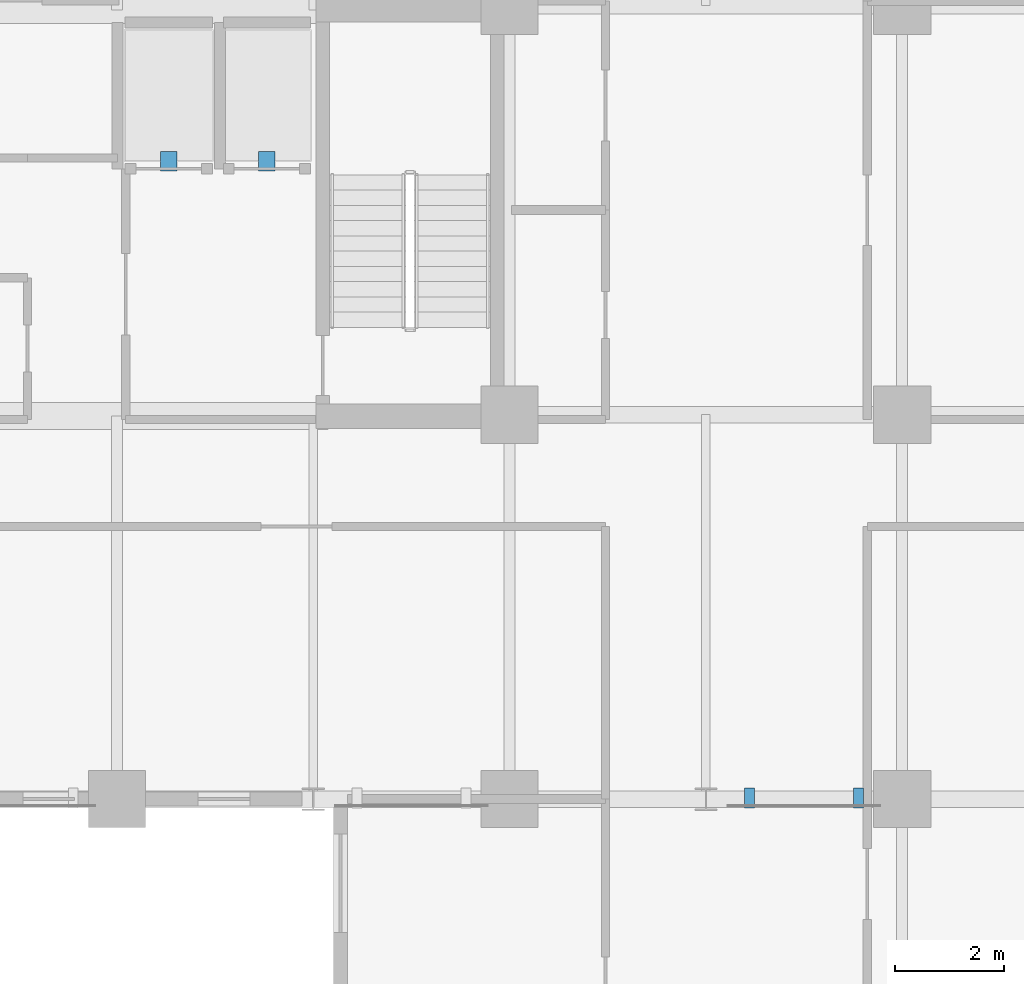
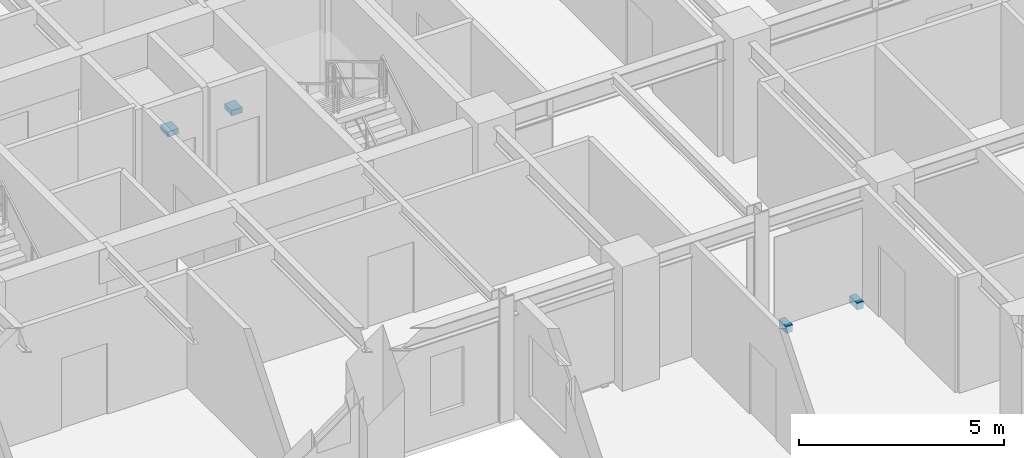
# One storey, part 10 of 14: 4 discrete accessories.
"""IFC4 building model written with IfcOpenShell, lengths in metres."""

from ifc_helpers import new_model, si_unit, direction, frame, origin, origin_2d, place, context, subcontext, project, spatial, rectangle, extrude, source, transform, mapped, material, type_object, element, save


model = new_model("IFC4")

# Units and contexts
model_context = context("Model", 3, precision=1e-05, world=origin(), true_north=direction((0.0, 1.0)))
body_context = subcontext(model_context, "Body", "Model", "MODEL_VIEW")
ifc_project = project(units=[si_unit("LENGTHUNIT", "METRE"), si_unit("AREAUNIT", "SQUARE_METRE"), si_unit("VOLUMEUNIT", "CUBIC_METRE"), si_unit("PLANEANGLEUNIT", "RADIAN"), si_unit("MASSUNIT", "GRAM", prefix="KILO")], contexts=[model_context])

# Site, building, storey
site_placement = place(None, origin())
site = spatial("IfcSite", under=ifc_project, at=site_placement, CompositionType="ELEMENT")
building_placement = place(site_placement, origin())
building = spatial("IfcBuilding", under=site, at=building_placement, Name="Kaliganga Portal Commons", CompositionType="ELEMENT")
storey_placement = place(building_placement, frame((0.0, 0.0, 151.300048828125)))
storey = spatial("IfcBuildingStorey", under=building, at=storey_placement, Name="L38", CompositionType="ELEMENT", Elevation=151.300048828125)

# Discrete accessories
ifc_material = material(Name="Structural steel S355J2", Category="steel")
discrete_accessory_type_1 = type_object("IfcDiscreteAccessoryType", Name="DAC-BRK-SCR", PredefinedType="BRACKET", material=ifc_material)
shared_shape_1 = source(origin(), body_context, "Body", "SweptSolid", [
    extrude(rectangle(XDim=0.179931640625, YDim=0.360107421875, at=origin_2d()), origin(), (0.0, 0.0, 1.0), 0.219970703125),
])
for number, where, z_axis, x_axis, name in (
    (1, (33.199951171875, 21.6201171875, -0.18994140625), (0.0, 0.0, 1.0), (1.0, 0.0, 0.0), "Solar Screen Outrigger Bracket L38-S3-1"),
    (2, (35.199951171875, 21.6201171875, -0.18994140625), (0.0, 0.0, 1.0), (1.0, 0.0, 0.0), "Solar Screen Outrigger Bracket L38-S3-2"),
):
    element("IfcDiscreteAccessory", number, at=place(storey_placement, frame(where, z_axis=z_axis, x_axis=x_axis)), inside=storey, type_object=discrete_accessory_type_1, Name=name, PredefinedType="BRACKET", context=body_context, shape_type="MappedRepresentation", body=[
        mapped(shared_shape_1, transform((0.0, 0.0, 0.0), x_axis=(1.0, 0.0, 0.0), y_axis=(0.0, 1.0, 0.0), z_axis=(0.0, 0.0, 1.0), scale=1.0)),
    ])
discrete_accessory_type_2 = type_object("IfcDiscreteAccessoryType", Name="DAC-LIFT-GUIDE", PredefinedType="BRACKET", material=ifc_material)
shared_shape_2 = source(origin(), body_context, "Body", "SweptSolid", [
    extrude(rectangle(XDim=0.300048828125, YDim=0.360107421875, at=origin_2d()), origin(), (0.0, 0.0, 1.0), 0.159912109375),
])
for number, where, z_axis, x_axis, name in (
    (3, (22.550048828125, 33.300048828125, 2.33984375), (0.0, 0.0, 1.0), (1.0, 0.0, 0.0), "Lift FFL-1 Guide-Rail Stabilizer Bracket"),
    (4, (24.35009765625, 33.300048828125, 2.33984375), (0.0, 0.0, 1.0), (1.0, 0.0, 0.0), "Lift FFL-2 Guide-Rail Stabilizer Bracket"),
):
    element("IfcDiscreteAccessory", number, at=place(storey_placement, frame(where, z_axis=z_axis, x_axis=x_axis)), inside=storey, type_object=discrete_accessory_type_2, Name=name, PredefinedType="BRACKET", context=body_context, shape_type="MappedRepresentation", body=[
        mapped(shared_shape_2, transform((0.0, 0.0, 0.0), x_axis=(1.0, 0.0, 0.0), y_axis=(0.0, 1.0, 0.0), z_axis=(0.0, 0.0, 1.0), scale=1.0)),
    ])

save(model, "model.ifc")
